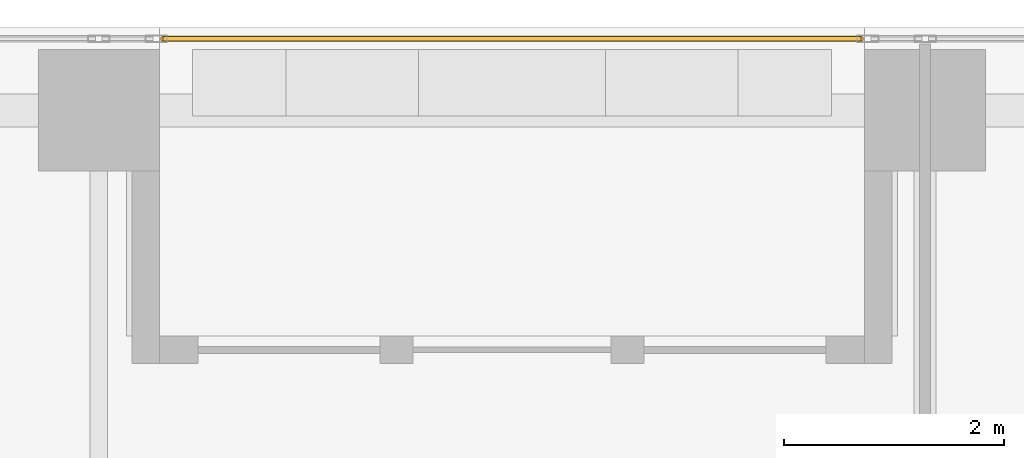
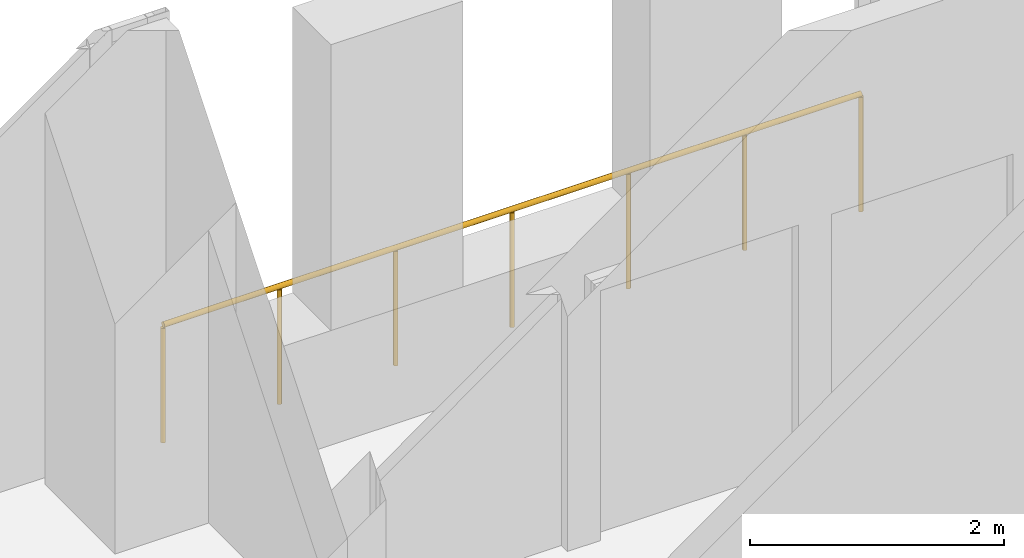
# One storey, part 32 of 33: 1 railing.
"""IFC4 building model written with IfcOpenShell, lengths in metres."""

from ifc_helpers import new_model, si_unit, direction, frame, origin, origin_2d, place, context, subcontext, project, spatial, circle, extrude, source, transform, mapped, material, type_object, element, save


model = new_model("IFC4")

# Units and contexts
model_context = context("Model", 3, precision=1e-05, world=origin(), true_north=direction((0.0, 1.0)))
body_context = subcontext(model_context, "Body", "Model", "MODEL_VIEW")
ifc_project = project(units=[si_unit("LENGTHUNIT", "METRE"), si_unit("AREAUNIT", "SQUARE_METRE"), si_unit("VOLUMEUNIT", "CUBIC_METRE"), si_unit("PLANEANGLEUNIT", "RADIAN"), si_unit("MASSUNIT", "GRAM", prefix="KILO")], contexts=[model_context])

# Site, building, storey
site_placement = place(None, origin())
site = spatial("IfcSite", under=ifc_project, at=site_placement, CompositionType="ELEMENT")
building_placement = place(site_placement, origin())
building = spatial("IfcBuilding", under=site, at=building_placement, Name="Khomas Fold Tower", CompositionType="ELEMENT")
storey_placement = place(building_placement, frame((0.0, 0.0, 149.89990234375)))
storey = spatial("IfcBuildingStorey", under=building, at=storey_placement, Name="L32", CompositionType="ELEMENT", Elevation=149.89990234375)

# Railing
ifc_material = material(Name="Powder-coated steel", Category="steel")
railing_type = type_object("IfcRailingType", Name="Balcony guard", PredefinedType="GUARDRAIL", material=ifc_material)
shared_shape = source(origin(), body_context, "Body", "SweptSolid", [
    extrude(circle(Radius=0.02490234375, at=origin_2d()), frame((0.0, 0.0, 1.125), z_axis=(1.0, 0.0, 0.0), x_axis=(0.0, 1.0, 0.0)), (0.0, 0.0, 1.0), 6.33984375),
    extrude(circle(Radius=0.02001953125, at=origin_2d()), origin(), (0.0, 0.0, 1.0), 1.099853515625),
    extrude(circle(Radius=0.02001953125, at=origin_2d()), frame((1.056640625, 0.0, 0.0)), (0.0, 0.0, 1.0), 1.099853515625),
    extrude(circle(Radius=0.02001953125, at=origin_2d()), frame((2.11328125, 0.0, 0.0)), (0.0, 0.0, 1.0), 1.099853515625),
    extrude(circle(Radius=0.02001953125, at=origin_2d()), frame((3.169921875, 0.0, 0.0)), (0.0, 0.0, 1.0), 1.099853515625),
    extrude(circle(Radius=0.02001953125, at=origin_2d()), frame((4.2265625, 0.0, 0.0)), (0.0, 0.0, 1.0), 1.099853515625),
    extrude(circle(Radius=0.02001953125, at=origin_2d()), frame((5.283203125, 0.0, 0.0)), (0.0, 0.0, 1.0), 1.099853515625),
    extrude(circle(Radius=0.02001953125, at=origin_2d()), frame((6.33984375, 0.0, 0.0)), (0.0, 0.0, 1.0), 1.099853515625),
])
railing_placement = place(storey_placement, frame((27.580078125, 52.39990234375, -0.044921875)))
element("IfcRailing", 1, at=railing_placement, inside=storey, type_object=railing_type, Name="Balcony guard BAL-L32-N3", PredefinedType="GUARDRAIL", context=body_context, shape_type="MappedRepresentation", body=[
    mapped(shared_shape, transform((0.0, 0.0, 0.0))),
])

save(model, "model.ifc")
